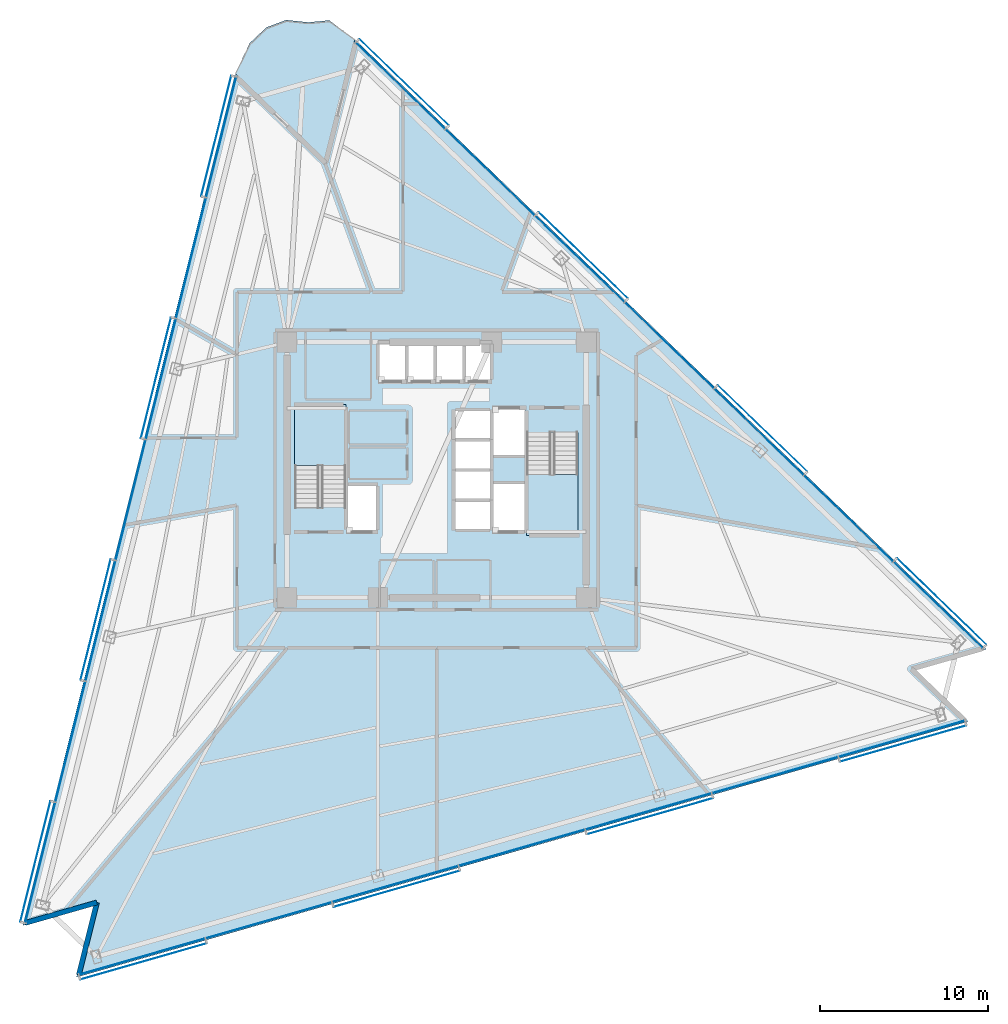
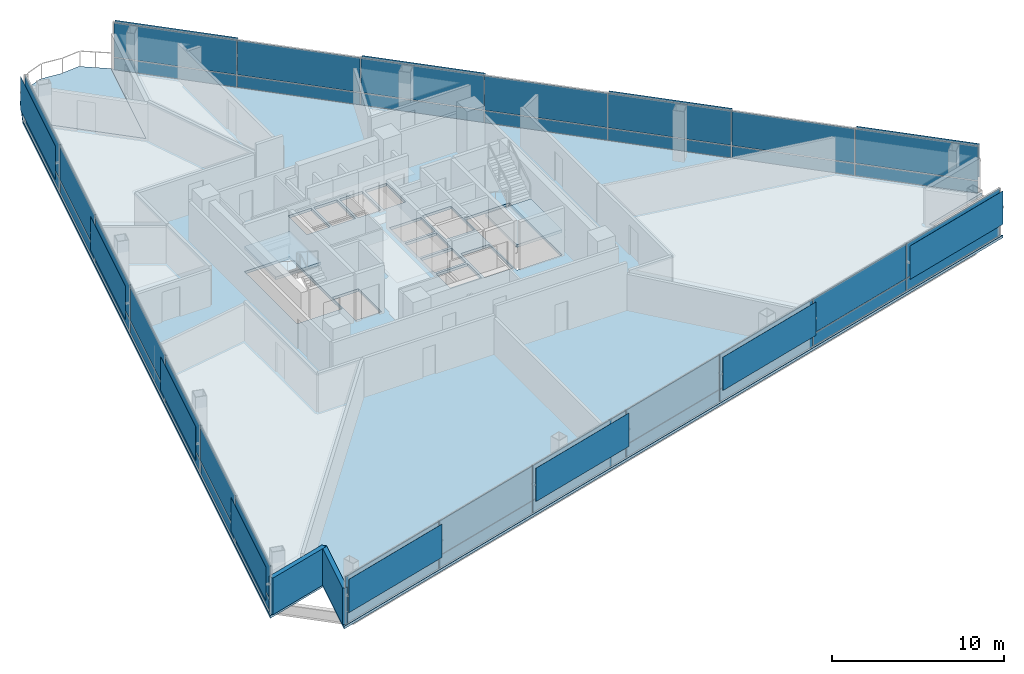
# One storey, part 8 of 19: 54 plates, 4 slabs, 2 walls, 5 elements without a shape of their own.
"""IFC4 building model written with IfcOpenShell, lengths in metres."""

from ifc_helpers import new_model, si_unit, direction, frame, frame_2d, origin, origin_2d, place, context, subcontext, project, spatial, polyline, rectangle, outline, extrude, material, layer, layer_set, type_object, element, aggregate, save


model = new_model("IFC4")

# Units and contexts
model_context = context("Model", 3, precision=1e-05, world=origin(), true_north=direction((0.0, 1.0)))
body_context = subcontext(model_context, "Body", "Model", "MODEL_VIEW")
ifc_project = project(units=[si_unit("LENGTHUNIT", "METRE"), si_unit("AREAUNIT", "SQUARE_METRE"), si_unit("VOLUMEUNIT", "CUBIC_METRE"), si_unit("PLANEANGLEUNIT", "RADIAN"), si_unit("MASSUNIT", "GRAM", prefix="KILO")], contexts=[model_context])

# Site, building, storey
site_placement = place(None, origin())
site = spatial("IfcSite", under=ifc_project, at=site_placement, CompositionType="ELEMENT")
building_placement = place(site_placement, origin())
building = spatial("IfcBuilding", under=site, at=building_placement, Name="Tharavind Bronze Gate", CompositionType="ELEMENT")
storey_placement = place(building_placement, frame((0.0, 0.0, 89.699951171875)))
storey = spatial("IfcBuildingStorey", under=building, at=storey_placement, Name="L22", CompositionType="ELEMENT", Elevation=89.699951171875)

# Plates
ifc_material_1 = material(Name="Perforated Bronze Alloy", Category="bronze")
ifc_layer_1 = layer(ifc_material_1, 0.011962890625)
ifc_layer_set_1 = layer_set([ifc_layer_1], Name="Perforated Bronze Alloy")
plate_type_1 = type_object("IfcPlateType", Name="BRONZE PERFORATED SOLAR SCREEN", PredefinedType="USERDEFINED", material=ifc_layer_set_1)
for number, where, z_axis, x_axis, name in (
    (1, (-13.11669921875, 19.86865234375, 0.966552734375), (0.0, 0.0, 1.0), (-0.2419218956, -0.970295726276, 0.0), "CW-L22-S1 perforated bronze solar screen 1"),
    (2, (-16.7041015625, 5.480712890625, 0.966552734375), (0.0, 0.0, 1.0), (-0.2419218956, -0.970295726276, 0.0), "CW-L22-S1 perforated bronze solar screen 3"),
    (3, (-20.29150390625, -8.9072265625, 0.966552734375), (0.0, 0.0, 1.0), (-0.2419218956, -0.970295726276, 0.0), "CW-L22-S1 perforated bronze solar screen 5"),
    (4, (-23.878662109375, -23.295166015625, 0.966552734375), (0.0, 0.0, 1.0), (-0.2419218956, -0.970295726276, 0.0), "CW-L22-S1 perforated bronze solar screen 7"),
):
    element("IfcPlate", number, at=place(storey_placement, frame(where, z_axis=z_axis, x_axis=x_axis)), inside=storey, type_object=plate_type_1, Name=name, ObjectType="SCREEN", PredefinedType="USERDEFINED", context=body_context, shape_type="SweptSolid", body=[
        extrude(rectangle(XDim=7.394287109375, YDim=0.011962890625, at=origin_2d()), origin(), (0.0, 0.0, 1.0), 2.376953125),
    ])
for number, where, z_axis, x_axis, name in (
    (5, (-17.447509765625, -29.251220703125, 0.966552734375), (0.0, 0.0, 1.0), (0.961261695938, 0.275637355817, 0.0), "CW-L22-S2 perforated bronze solar screen 1"),
    (6, (-2.380615234375, -24.930908203125, 0.966552734375), (0.0, 0.0, 1.0), (0.961261695938, 0.275637355817, 0.0), "CW-L22-S2 perforated bronze solar screen 3"),
    (7, (12.686279296875, -20.610595703125, 0.966552734375), (0.0, 0.0, 1.0), (0.961261695938, 0.275637355817, 0.0), "CW-L22-S2 perforated bronze solar screen 5"),
    (8, (27.75341796875, -16.290283203125, 0.966552734375), (0.0, 0.0, 1.0), (0.961261695938, 0.275637355817, 0.0), "CW-L22-S2 perforated bronze solar screen 7"),
):
    element("IfcPlate", number, at=place(storey_placement, frame(where, z_axis=z_axis, x_axis=x_axis)), inside=storey, type_object=plate_type_1, Name=name, ObjectType="SCREEN", PredefinedType="USERDEFINED", context=body_context, shape_type="SweptSolid", body=[
        extrude(rectangle(XDim=7.817138671875, YDim=0.011962890625, at=origin_2d()), origin(), (0.0, 0.0, 1.0), 2.376953125),
    ])
for number, where, z_axis, x_axis, name in (
    (9, (30.05126953125, -7.8310546875, 0.966552734375), (0.0, 0.0, 1.0), (-0.719341012745, 0.694657114973, 0.0), "CW-L22-S3 perforated bronze solar screen 1"),
    (10, (19.384521484375, 2.469482421875, 0.966552734375), (0.0, 0.0, 1.0), (-0.719341012745, 0.694657114973, 0.0), "CW-L22-S3 perforated bronze solar screen 3"),
    (11, (8.718017578125, 12.770263671875, 0.966552734375), (0.0, 0.0, 1.0), (-0.719341012745, 0.694657114973, 0.0), "CW-L22-S3 perforated bronze solar screen 5"),
    (12, (-1.94873046875, 23.07080078125, 0.966552734375), (0.0, 0.0, 1.0), (-0.719341012745, 0.694657114973, 0.0), "CW-L22-S3 perforated bronze solar screen 7"),
):
    element("IfcPlate", number, at=place(storey_placement, frame(where, z_axis=z_axis, x_axis=x_axis)), inside=storey, type_object=plate_type_1, Name=name, ObjectType="SCREEN", PredefinedType="USERDEFINED", context=body_context, shape_type="SweptSolid", body=[
        extrude(rectangle(XDim=7.394287109375, YDim=0.011962890625, at=origin_2d()), origin(), (0.0, 0.0, 1.0), 2.376953125),
    ])

# Curtain wall, plates
ifc_material_2 = material(Name="Anodised Bronze Aluminium", Category="aluminium")
ifc_layer_2 = layer(ifc_material_2, 0.219970703125)
ifc_layer_set_2 = layer_set([ifc_layer_2], Name="Anodised Bronze Aluminium")
curtain_wall_type = type_object("IfcCurtainWallType", Name="UNITISED CURTAIN WALL LOWER OFFICE", PredefinedType="USERDEFINED", material=ifc_layer_set_2)
curtain_wall_1_placement = place(storey_placement, origin())
curtain_wall_1 = element("IfcCurtainWall", 13, at=curtain_wall_1_placement, inside=storey, type_object=curtain_wall_type, Name="L22 unitised curtain wall lower office CW-L22-S1", ObjectType="UNITISED CURTAIN WALL", PredefinedType="USERDEFINED")
ifc_material_3 = material(Name="Patinated Bronze Alloy Sheet", Category="bronze")
ifc_layer_3 = layer(ifc_material_3, 0.01611328125)
ifc_layer_set_3 = layer_set([ifc_layer_3], Name="Patinated Bronze Alloy Sheet")
plate_type_2 = type_object("IfcPlateType", Name="BRONZE SPANDREL CLADDING PANEL 16", PredefinedType="CURTAIN_PANEL", material=ifc_layer_set_3)
plate_1_placement = place(storey_placement, frame((-12.83056640625, 19.797119140625, 0.0263671875), z_axis=(0.0, 0.0, 1.0), x_axis=(-0.2419218956, -0.970295726276, 0.0)))
plate_1 = element("IfcPlate", 14, at=plate_1_placement, type_object=plate_type_2, Name="CW-L22-S1 bronze spandrel panel 1", PredefinedType="CURTAIN_PANEL", context=body_context, shape_type="SweptSolid", body=[
    extrude(rectangle(XDim=7.361083984375, YDim=0.01611328125, at=origin_2d()), origin(), (0.0, 0.0, 1.0), 0.846923828125),
])
plate_2_placement = place(storey_placement, frame((-14.624267578125, 12.603271484375, 0.0263671875), z_axis=(0.0, 0.0, 1.0), x_axis=(-0.2419218956, -0.970295726276, 0.0)))
plate_2 = element("IfcPlate", 15, at=plate_2_placement, type_object=plate_type_2, Name="CW-L22-S1 bronze spandrel panel 2", PredefinedType="CURTAIN_PANEL", context=body_context, shape_type="SweptSolid", body=[
    extrude(rectangle(XDim=7.361083984375, YDim=0.01611328125, at=origin_2d()), origin(), (0.0, 0.0, 1.0), 0.846923828125),
])
plate_3_placement = place(storey_placement, frame((-16.417724609375, 5.4091796875, 0.0263671875), z_axis=(0.0, 0.0, 1.0), x_axis=(-0.2419218956, -0.970295726276, 0.0)))
plate_3 = element("IfcPlate", 16, at=plate_3_placement, type_object=plate_type_2, Name="CW-L22-S1 bronze spandrel panel 3", PredefinedType="CURTAIN_PANEL", context=body_context, shape_type="SweptSolid", body=[
    extrude(rectangle(XDim=7.361083984375, YDim=0.01611328125, at=origin_2d()), origin(), (0.0, 0.0, 1.0), 0.846923828125),
])
plate_4_placement = place(storey_placement, frame((-18.21142578125, -1.78466796875, 0.0263671875), z_axis=(0.0, 0.0, 1.0), x_axis=(-0.2419218956, -0.970295726276, 0.0)))
plate_4 = element("IfcPlate", 17, at=plate_4_placement, type_object=plate_type_2, Name="CW-L22-S1 bronze spandrel panel 4", PredefinedType="CURTAIN_PANEL", context=body_context, shape_type="SweptSolid", body=[
    extrude(rectangle(XDim=7.361083984375, YDim=0.01611328125, at=origin_2d()), origin(), (0.0, 0.0, 1.0), 0.846923828125),
])
plate_5_placement = place(storey_placement, frame((-20.005126953125, -8.978759765625, 0.0263671875), z_axis=(0.0, 0.0, 1.0), x_axis=(-0.2419218956, -0.970295726276, 0.0)))
plate_5 = element("IfcPlate", 18, at=plate_5_placement, type_object=plate_type_2, Name="CW-L22-S1 bronze spandrel panel 5", PredefinedType="CURTAIN_PANEL", context=body_context, shape_type="SweptSolid", body=[
    extrude(rectangle(XDim=7.361083984375, YDim=0.01611328125, at=origin_2d()), origin(), (0.0, 0.0, 1.0), 0.846923828125),
])
plate_6_placement = place(storey_placement, frame((-21.798828125, -16.172607421875, 0.0263671875), z_axis=(0.0, 0.0, 1.0), x_axis=(-0.2419218956, -0.970295726276, 0.0)))
plate_6 = element("IfcPlate", 19, at=plate_6_placement, type_object=plate_type_2, Name="CW-L22-S1 bronze spandrel panel 6", PredefinedType="CURTAIN_PANEL", context=body_context, shape_type="SweptSolid", body=[
    extrude(rectangle(XDim=7.361083984375, YDim=0.01611328125, at=origin_2d()), origin(), (0.0, 0.0, 1.0), 0.846923828125),
])
plate_7_placement = place(storey_placement, frame((-23.592529296875, -23.36669921875, 0.0263671875), z_axis=(0.0, 0.0, 1.0), x_axis=(-0.2419218956, -0.970295726276, 0.0)))
plate_7 = element("IfcPlate", 20, at=plate_7_placement, type_object=plate_type_2, Name="CW-L22-S1 bronze spandrel panel 7", PredefinedType="CURTAIN_PANEL", context=body_context, shape_type="SweptSolid", body=[
    extrude(rectangle(XDim=7.361083984375, YDim=0.01611328125, at=origin_2d()), origin(), (0.0, 0.0, 1.0), 0.846923828125),
])

curtain_wall_2_placement = place(storey_placement, origin())
curtain_wall_2 = element("IfcCurtainWall", 21, at=curtain_wall_2_placement, inside=storey, type_object=curtain_wall_type, Name="L22 unitised curtain wall lower office CW-L22-S2", ObjectType="UNITISED CURTAIN WALL", PredefinedType="USERDEFINED")
plate_8_placement = place(storey_placement, frame((-17.52880859375, -28.9677734375, 0.0263671875), z_axis=(0.0, 0.0, 1.0), x_axis=(0.961261695938, 0.275637355817, 0.0)))
plate_8 = element("IfcPlate", 22, at=plate_8_placement, type_object=plate_type_2, Name="CW-L22-S2 bronze spandrel panel 1", PredefinedType="CURTAIN_PANEL", context=body_context, shape_type="SweptSolid", body=[
    extrude(rectangle(XDim=7.7841796875, YDim=0.01611328125, at=origin_2d()), origin(), (0.0, 0.0, 1.0), 0.846923828125),
])
plate_9_placement = place(storey_placement, frame((-9.995361328125, -26.8076171875, 0.0263671875), z_axis=(0.0, 0.0, 1.0), x_axis=(0.961261695938, 0.275637355817, 0.0)))
plate_9 = element("IfcPlate", 23, at=plate_9_placement, type_object=plate_type_2, Name="CW-L22-S2 bronze spandrel panel 2", PredefinedType="CURTAIN_PANEL", context=body_context, shape_type="SweptSolid", body=[
    extrude(rectangle(XDim=7.7841796875, YDim=0.01611328125, at=origin_2d()), origin(), (0.0, 0.0, 1.0), 0.846923828125),
])
plate_10_placement = place(storey_placement, frame((-2.4619140625, -24.647216796875, 0.0263671875), z_axis=(0.0, 0.0, 1.0), x_axis=(0.961261695938, 0.275637355817, 0.0)))
plate_10 = element("IfcPlate", 24, at=plate_10_placement, type_object=plate_type_2, Name="CW-L22-S2 bronze spandrel panel 3", PredefinedType="CURTAIN_PANEL", context=body_context, shape_type="SweptSolid", body=[
    extrude(rectangle(XDim=7.7841796875, YDim=0.01611328125, at=origin_2d()), origin(), (0.0, 0.0, 1.0), 0.846923828125),
])
plate_11_placement = place(storey_placement, frame((5.07177734375, -22.487060546875, 0.0263671875), z_axis=(0.0, 0.0, 1.0), x_axis=(0.961261695938, 0.275637355817, 0.0)))
plate_11 = element("IfcPlate", 25, at=plate_11_placement, type_object=plate_type_2, Name="CW-L22-S2 bronze spandrel panel 4", PredefinedType="CURTAIN_PANEL", context=body_context, shape_type="SweptSolid", body=[
    extrude(rectangle(XDim=7.7841796875, YDim=0.01611328125, at=origin_2d()), origin(), (0.0, 0.0, 1.0), 0.846923828125),
])
plate_12_placement = place(storey_placement, frame((12.60498046875, -20.326904296875, 0.0263671875), z_axis=(0.0, 0.0, 1.0), x_axis=(0.961261695938, 0.275637355817, 0.0)))
plate_12 = element("IfcPlate", 26, at=plate_12_placement, type_object=plate_type_2, Name="CW-L22-S2 bronze spandrel panel 5", PredefinedType="CURTAIN_PANEL", context=body_context, shape_type="SweptSolid", body=[
    extrude(rectangle(XDim=7.7841796875, YDim=0.01611328125, at=origin_2d()), origin(), (0.0, 0.0, 1.0), 0.846923828125),
])
plate_13_placement = place(storey_placement, frame((20.138671875, -18.166748046875, 0.0263671875), z_axis=(0.0, 0.0, 1.0), x_axis=(0.961261695938, 0.275637355817, 0.0)))
plate_13 = element("IfcPlate", 27, at=plate_13_placement, type_object=plate_type_2, Name="CW-L22-S2 bronze spandrel panel 6", PredefinedType="CURTAIN_PANEL", context=body_context, shape_type="SweptSolid", body=[
    extrude(rectangle(XDim=7.7841796875, YDim=0.01611328125, at=origin_2d()), origin(), (0.0, 0.0, 1.0), 0.846923828125),
])
plate_14_placement = place(storey_placement, frame((27.672119140625, -16.006591796875, 0.0263671875), z_axis=(0.0, 0.0, 1.0), x_axis=(0.961261695938, 0.275637355817, 0.0)))
plate_14 = element("IfcPlate", 28, at=plate_14_placement, type_object=plate_type_2, Name="CW-L22-S2 bronze spandrel panel 7", PredefinedType="CURTAIN_PANEL", context=body_context, shape_type="SweptSolid", body=[
    extrude(rectangle(XDim=7.7841796875, YDim=0.01611328125, at=origin_2d()), origin(), (0.0, 0.0, 1.0), 0.846923828125),
])

curtain_wall_3_placement = place(storey_placement, origin())
curtain_wall_3 = element("IfcCurtainWall", 29, at=curtain_wall_3_placement, inside=storey, type_object=curtain_wall_type, Name="L22 unitised curtain wall lower office CW-L22-S3", ObjectType="UNITISED CURTAIN WALL", PredefinedType="USERDEFINED")
plate_15_placement = place(storey_placement, frame((29.84619140625, -8.043212890625, 0.0263671875), z_axis=(0.0, 0.0, 1.0), x_axis=(-0.719341012745, 0.694657114973, 0.0)))
plate_15 = element("IfcPlate", 30, at=plate_15_placement, type_object=plate_type_2, Name="CW-L22-S3 bronze spandrel panel 1", PredefinedType="CURTAIN_PANEL", context=body_context, shape_type="SweptSolid", body=[
    extrude(rectangle(XDim=7.361083984375, YDim=0.01611328125, at=origin_2d()), origin(), (0.0, 0.0, 1.0), 0.846923828125),
])
plate_16_placement = place(storey_placement, frame((24.512939453125, -2.892822265625, 0.0263671875), z_axis=(0.0, 0.0, 1.0), x_axis=(-0.719341012745, 0.694657114973, 0.0)))
plate_16 = element("IfcPlate", 31, at=plate_16_placement, type_object=plate_type_2, Name="CW-L22-S3 bronze spandrel panel 2", PredefinedType="CURTAIN_PANEL", context=body_context, shape_type="SweptSolid", body=[
    extrude(rectangle(XDim=7.361083984375, YDim=0.01611328125, at=origin_2d()), origin(), (0.0, 0.0, 1.0), 0.846923828125),
])
plate_17_placement = place(storey_placement, frame((19.1796875, 2.25732421875, 0.0263671875), z_axis=(0.0, 0.0, 1.0), x_axis=(-0.719341012745, 0.694657114973, 0.0)))
plate_17 = element("IfcPlate", 32, at=plate_17_placement, type_object=plate_type_2, Name="CW-L22-S3 bronze spandrel panel 3", PredefinedType="CURTAIN_PANEL", context=body_context, shape_type="SweptSolid", body=[
    extrude(rectangle(XDim=7.361083984375, YDim=0.01611328125, at=origin_2d()), origin(), (0.0, 0.0, 1.0), 0.846923828125),
])
plate_18_placement = place(storey_placement, frame((13.84619140625, 7.40771484375, 0.0263671875), z_axis=(0.0, 0.0, 1.0), x_axis=(-0.719341012745, 0.694657114973, 0.0)))
plate_18 = element("IfcPlate", 33, at=plate_18_placement, type_object=plate_type_2, Name="CW-L22-S3 bronze spandrel panel 4", PredefinedType="CURTAIN_PANEL", context=body_context, shape_type="SweptSolid", body=[
    extrude(rectangle(XDim=7.361083984375, YDim=0.01611328125, at=origin_2d()), origin(), (0.0, 0.0, 1.0), 0.846923828125),
])
plate_19_placement = place(storey_placement, frame((8.512939453125, 12.55810546875, 0.0263671875), z_axis=(0.0, 0.0, 1.0), x_axis=(-0.719341012745, 0.694657114973, 0.0)))
plate_19 = element("IfcPlate", 34, at=plate_19_placement, type_object=plate_type_2, Name="CW-L22-S3 bronze spandrel panel 5", PredefinedType="CURTAIN_PANEL", context=body_context, shape_type="SweptSolid", body=[
    extrude(rectangle(XDim=7.361083984375, YDim=0.01611328125, at=origin_2d()), origin(), (0.0, 0.0, 1.0), 0.846923828125),
])
plate_20_placement = place(storey_placement, frame((3.1796875, 17.70849609375, 0.0263671875), z_axis=(0.0, 0.0, 1.0), x_axis=(-0.719341012745, 0.694657114973, 0.0)))
plate_20 = element("IfcPlate", 35, at=plate_20_placement, type_object=plate_type_2, Name="CW-L22-S3 bronze spandrel panel 6", PredefinedType="CURTAIN_PANEL", context=body_context, shape_type="SweptSolid", body=[
    extrude(rectangle(XDim=7.361083984375, YDim=0.01611328125, at=origin_2d()), origin(), (0.0, 0.0, 1.0), 0.846923828125),
])
plate_21_placement = place(storey_placement, frame((-2.15380859375, 22.858642578125, 0.0263671875), z_axis=(0.0, 0.0, 1.0), x_axis=(-0.719341012745, 0.694657114973, 0.0)))
plate_21 = element("IfcPlate", 36, at=plate_21_placement, type_object=plate_type_2, Name="CW-L22-S3 bronze spandrel panel 7", PredefinedType="CURTAIN_PANEL", context=body_context, shape_type="SweptSolid", body=[
    extrude(rectangle(XDim=7.361083984375, YDim=0.01611328125, at=origin_2d()), origin(), (0.0, 0.0, 1.0), 0.846923828125),
])

# Plate
ifc_material_4 = material(Name="Low-E Double Glazing", Category="glass")
ifc_layer_4 = layer(ifc_material_4, 0.031982421875)
ifc_layer_set_4 = layer_set([ifc_layer_4], Name="Low-E Double Glazing")
plate_type_3 = type_object("IfcPlateType", Name="DOUBLE GLAZED FACADE PANEL 32", PredefinedType="CURTAIN_PANEL", material=ifc_layer_set_4)
plate_22_placement = place(storey_placement, frame((-12.83056640625, 19.797119140625, 0.926513671875), z_axis=(0.0, 0.0, 1.0), x_axis=(-0.2419218956, -0.970295726276, 0.0)))
plate_22 = element("IfcPlate", 37, at=plate_22_placement, type_object=plate_type_3, Name="CW-L22-S1 vision glazing panel 1", PredefinedType="CURTAIN_PANEL", context=body_context, shape_type="SweptSolid", body=[
    extrude(rectangle(XDim=7.361083984375, YDim=0.031982421875, at=origin_2d()), origin(), (0.0, 0.0, 1.0), 2.45703125),
])

plate_23_placement = place(storey_placement, frame((-14.624267578125, 12.603271484375, 0.926513671875), z_axis=(0.0, 0.0, 1.0), x_axis=(-0.2419218956, -0.970295726276, 0.0)))
plate_23 = element("IfcPlate", 38, at=plate_23_placement, type_object=plate_type_3, Name="CW-L22-S1 vision glazing panel 2", PredefinedType="CURTAIN_PANEL", context=body_context, shape_type="SweptSolid", body=[
    extrude(rectangle(XDim=7.361083984375, YDim=0.031982421875, at=origin_2d()), origin(), (0.0, 0.0, 1.0), 2.45703125),
])

plate_24_placement = place(storey_placement, frame((-16.417724609375, 5.4091796875, 0.926513671875), z_axis=(0.0, 0.0, 1.0), x_axis=(-0.2419218956, -0.970295726276, 0.0)))
plate_24 = element("IfcPlate", 39, at=plate_24_placement, type_object=plate_type_3, Name="CW-L22-S1 vision glazing panel 3", PredefinedType="CURTAIN_PANEL", context=body_context, shape_type="SweptSolid", body=[
    extrude(rectangle(XDim=7.361083984375, YDim=0.031982421875, at=origin_2d()), origin(), (0.0, 0.0, 1.0), 2.45703125),
])

plate_25_placement = place(storey_placement, frame((-18.21142578125, -1.78466796875, 0.926513671875), z_axis=(0.0, 0.0, 1.0), x_axis=(-0.2419218956, -0.970295726276, 0.0)))
plate_25 = element("IfcPlate", 40, at=plate_25_placement, type_object=plate_type_3, Name="CW-L22-S1 vision glazing panel 4", PredefinedType="CURTAIN_PANEL", context=body_context, shape_type="SweptSolid", body=[
    extrude(rectangle(XDim=7.361083984375, YDim=0.031982421875, at=origin_2d()), origin(), (0.0, 0.0, 1.0), 2.45703125),
])

plate_26_placement = place(storey_placement, frame((-20.005126953125, -8.978759765625, 0.926513671875), z_axis=(0.0, 0.0, 1.0), x_axis=(-0.2419218956, -0.970295726276, 0.0)))
plate_26 = element("IfcPlate", 41, at=plate_26_placement, type_object=plate_type_3, Name="CW-L22-S1 vision glazing panel 5", PredefinedType="CURTAIN_PANEL", context=body_context, shape_type="SweptSolid", body=[
    extrude(rectangle(XDim=7.361083984375, YDim=0.031982421875, at=origin_2d()), origin(), (0.0, 0.0, 1.0), 2.45703125),
])

plate_27_placement = place(storey_placement, frame((-21.798828125, -16.172607421875, 0.926513671875), z_axis=(0.0, 0.0, 1.0), x_axis=(-0.2419218956, -0.970295726276, 0.0)))
plate_27 = element("IfcPlate", 42, at=plate_27_placement, type_object=plate_type_3, Name="CW-L22-S1 vision glazing panel 6", PredefinedType="CURTAIN_PANEL", context=body_context, shape_type="SweptSolid", body=[
    extrude(rectangle(XDim=7.361083984375, YDim=0.031982421875, at=origin_2d()), origin(), (0.0, 0.0, 1.0), 2.45703125),
])

plate_28_placement = place(storey_placement, frame((-23.592529296875, -23.36669921875, 0.926513671875), z_axis=(0.0, 0.0, 1.0), x_axis=(-0.2419218956, -0.970295726276, 0.0)))
plate_28 = element("IfcPlate", 43, at=plate_28_placement, type_object=plate_type_3, Name="CW-L22-S1 vision glazing panel 7", PredefinedType="CURTAIN_PANEL", context=body_context, shape_type="SweptSolid", body=[
    extrude(rectangle(XDim=7.361083984375, YDim=0.031982421875, at=origin_2d()), origin(), (0.0, 0.0, 1.0), 2.45703125),
])

aggregate(curtain_wall_1, [plate_1, plate_22, plate_2, plate_23, plate_3, plate_24, plate_4, plate_25, plate_5, plate_26, plate_6, plate_27, plate_7, plate_28])

plate_29_placement = place(storey_placement, frame((-17.52880859375, -28.9677734375, 0.926513671875), z_axis=(0.0, 0.0, 1.0), x_axis=(0.961261695938, 0.275637355817, 0.0)))
plate_29 = element("IfcPlate", 44, at=plate_29_placement, type_object=plate_type_3, Name="CW-L22-S2 vision glazing panel 1", PredefinedType="CURTAIN_PANEL", context=body_context, shape_type="SweptSolid", body=[
    extrude(rectangle(XDim=7.7841796875, YDim=0.031982421875, at=origin_2d()), origin(), (0.0, 0.0, 1.0), 2.45703125),
])

plate_30_placement = place(storey_placement, frame((-9.995361328125, -26.8076171875, 0.926513671875), z_axis=(0.0, 0.0, 1.0), x_axis=(0.961261695938, 0.275637355817, 0.0)))
plate_30 = element("IfcPlate", 45, at=plate_30_placement, type_object=plate_type_3, Name="CW-L22-S2 vision glazing panel 2", PredefinedType="CURTAIN_PANEL", context=body_context, shape_type="SweptSolid", body=[
    extrude(rectangle(XDim=7.7841796875, YDim=0.031982421875, at=origin_2d()), origin(), (0.0, 0.0, 1.0), 2.45703125),
])

plate_31_placement = place(storey_placement, frame((-2.4619140625, -24.647216796875, 0.926513671875), z_axis=(0.0, 0.0, 1.0), x_axis=(0.961261695938, 0.275637355817, 0.0)))
plate_31 = element("IfcPlate", 46, at=plate_31_placement, type_object=plate_type_3, Name="CW-L22-S2 vision glazing panel 3", PredefinedType="CURTAIN_PANEL", context=body_context, shape_type="SweptSolid", body=[
    extrude(rectangle(XDim=7.7841796875, YDim=0.031982421875, at=origin_2d()), origin(), (0.0, 0.0, 1.0), 2.45703125),
])

plate_32_placement = place(storey_placement, frame((5.07177734375, -22.487060546875, 0.926513671875), z_axis=(0.0, 0.0, 1.0), x_axis=(0.961261695938, 0.275637355817, 0.0)))
plate_32 = element("IfcPlate", 47, at=plate_32_placement, type_object=plate_type_3, Name="CW-L22-S2 vision glazing panel 4", PredefinedType="CURTAIN_PANEL", context=body_context, shape_type="SweptSolid", body=[
    extrude(rectangle(XDim=7.7841796875, YDim=0.031982421875, at=origin_2d()), origin(), (0.0, 0.0, 1.0), 2.45703125),
])

plate_33_placement = place(storey_placement, frame((12.60498046875, -20.326904296875, 0.926513671875), z_axis=(0.0, 0.0, 1.0), x_axis=(0.961261695938, 0.275637355817, 0.0)))
plate_33 = element("IfcPlate", 48, at=plate_33_placement, type_object=plate_type_3, Name="CW-L22-S2 vision glazing panel 5", PredefinedType="CURTAIN_PANEL", context=body_context, shape_type="SweptSolid", body=[
    extrude(rectangle(XDim=7.7841796875, YDim=0.031982421875, at=origin_2d()), origin(), (0.0, 0.0, 1.0), 2.45703125),
])

plate_34_placement = place(storey_placement, frame((20.138671875, -18.166748046875, 0.926513671875), z_axis=(0.0, 0.0, 1.0), x_axis=(0.961261695938, 0.275637355817, 0.0)))
plate_34 = element("IfcPlate", 49, at=plate_34_placement, type_object=plate_type_3, Name="CW-L22-S2 vision glazing panel 6", PredefinedType="CURTAIN_PANEL", context=body_context, shape_type="SweptSolid", body=[
    extrude(rectangle(XDim=7.7841796875, YDim=0.031982421875, at=origin_2d()), origin(), (0.0, 0.0, 1.0), 2.45703125),
])

plate_35_placement = place(storey_placement, frame((27.672119140625, -16.006591796875, 0.926513671875), z_axis=(0.0, 0.0, 1.0), x_axis=(0.961261695938, 0.275637355817, 0.0)))
plate_35 = element("IfcPlate", 50, at=plate_35_placement, type_object=plate_type_3, Name="CW-L22-S2 vision glazing panel 7", PredefinedType="CURTAIN_PANEL", context=body_context, shape_type="SweptSolid", body=[
    extrude(rectangle(XDim=7.7841796875, YDim=0.031982421875, at=origin_2d()), origin(), (0.0, 0.0, 1.0), 2.45703125),
])

aggregate(curtain_wall_2, [plate_8, plate_29, plate_9, plate_30, plate_10, plate_31, plate_11, plate_32, plate_12, plate_33, plate_13, plate_34, plate_14, plate_35])

plate_36_placement = place(storey_placement, frame((29.84619140625, -8.043212890625, 0.926513671875), z_axis=(0.0, 0.0, 1.0), x_axis=(-0.719341012745, 0.694657114973, 0.0)))
plate_36 = element("IfcPlate", 51, at=plate_36_placement, type_object=plate_type_3, Name="CW-L22-S3 vision glazing panel 1", PredefinedType="CURTAIN_PANEL", context=body_context, shape_type="SweptSolid", body=[
    extrude(rectangle(XDim=7.361083984375, YDim=0.031982421875, at=origin_2d()), origin(), (0.0, 0.0, 1.0), 2.45703125),
])

plate_37_placement = place(storey_placement, frame((24.512939453125, -2.892822265625, 0.926513671875), z_axis=(0.0, 0.0, 1.0), x_axis=(-0.719341012745, 0.694657114973, 0.0)))
plate_37 = element("IfcPlate", 52, at=plate_37_placement, type_object=plate_type_3, Name="CW-L22-S3 vision glazing panel 2", PredefinedType="CURTAIN_PANEL", context=body_context, shape_type="SweptSolid", body=[
    extrude(rectangle(XDim=7.361083984375, YDim=0.031982421875, at=origin_2d()), origin(), (0.0, 0.0, 1.0), 2.45703125),
])

plate_38_placement = place(storey_placement, frame((19.1796875, 2.25732421875, 0.926513671875), z_axis=(0.0, 0.0, 1.0), x_axis=(-0.719341012745, 0.694657114973, 0.0)))
plate_38 = element("IfcPlate", 53, at=plate_38_placement, type_object=plate_type_3, Name="CW-L22-S3 vision glazing panel 3", PredefinedType="CURTAIN_PANEL", context=body_context, shape_type="SweptSolid", body=[
    extrude(rectangle(XDim=7.361083984375, YDim=0.031982421875, at=origin_2d()), origin(), (0.0, 0.0, 1.0), 2.45703125),
])

plate_39_placement = place(storey_placement, frame((13.84619140625, 7.40771484375, 0.926513671875), z_axis=(0.0, 0.0, 1.0), x_axis=(-0.719341012745, 0.694657114973, 0.0)))
plate_39 = element("IfcPlate", 54, at=plate_39_placement, type_object=plate_type_3, Name="CW-L22-S3 vision glazing panel 4", PredefinedType="CURTAIN_PANEL", context=body_context, shape_type="SweptSolid", body=[
    extrude(rectangle(XDim=7.361083984375, YDim=0.031982421875, at=origin_2d()), origin(), (0.0, 0.0, 1.0), 2.45703125),
])

plate_40_placement = place(storey_placement, frame((8.512939453125, 12.55810546875, 0.926513671875), z_axis=(0.0, 0.0, 1.0), x_axis=(-0.719341012745, 0.694657114973, 0.0)))
plate_40 = element("IfcPlate", 55, at=plate_40_placement, type_object=plate_type_3, Name="CW-L22-S3 vision glazing panel 5", PredefinedType="CURTAIN_PANEL", context=body_context, shape_type="SweptSolid", body=[
    extrude(rectangle(XDim=7.361083984375, YDim=0.031982421875, at=origin_2d()), origin(), (0.0, 0.0, 1.0), 2.45703125),
])

plate_41_placement = place(storey_placement, frame((3.1796875, 17.70849609375, 0.926513671875), z_axis=(0.0, 0.0, 1.0), x_axis=(-0.719341012745, 0.694657114973, 0.0)))
plate_41 = element("IfcPlate", 56, at=plate_41_placement, type_object=plate_type_3, Name="CW-L22-S3 vision glazing panel 6", PredefinedType="CURTAIN_PANEL", context=body_context, shape_type="SweptSolid", body=[
    extrude(rectangle(XDim=7.361083984375, YDim=0.031982421875, at=origin_2d()), origin(), (0.0, 0.0, 1.0), 2.45703125),
])

plate_42_placement = place(storey_placement, frame((-2.15380859375, 22.858642578125, 0.926513671875), z_axis=(0.0, 0.0, 1.0), x_axis=(-0.719341012745, 0.694657114973, 0.0)))
plate_42 = element("IfcPlate", 57, at=plate_42_placement, type_object=plate_type_3, Name="CW-L22-S3 vision glazing panel 7", PredefinedType="CURTAIN_PANEL", context=body_context, shape_type="SweptSolid", body=[
    extrude(rectangle(XDim=7.361083984375, YDim=0.031982421875, at=origin_2d()), origin(), (0.0, 0.0, 1.0), 2.45703125),
])

aggregate(curtain_wall_3, [plate_15, plate_36, plate_16, plate_37, plate_17, plate_38, plate_18, plate_39, plate_19, plate_40, plate_20, plate_41, plate_21, plate_42])

# Slab
ifc_material_5 = material(Name="Concrete C40/50", Category="concrete")
ifc_layer_5 = layer(ifc_material_5, 0.179931640625)
ifc_layer_set_5 = layer_set([ifc_layer_5], Name="Concrete C40/50")
slab_type_1 = type_object("IfcSlabType", Name="EXTERIOR BALCONY SLAB 180", PredefinedType="FLOOR", material=ifc_layer_set_5)
slab_1_placement = place(storey_placement, frame((0.0, 0.0, -0.179931640625)))
element("IfcSlab", 58, at=slab_1_placement, inside=storey, type_object=slab_type_1, Name="L22 northeast tree balcony slab", PredefinedType="FLOOR", context=body_context, shape_type="SweptSolid", body=[
    extrude(outline(polyline([(-6.388427734375, 26.752685546875), (-7.6376953125, 26.63525390625), (-8.960693359375, 26.7744140625), (-10.118896484375, 26.33935546875), (-11.130615234375, 25.39306640625), (-11.98876953125, 23.58642578125), (-6.665771484375, 18.446044921875), (-4.87548828125, 25.626220703125), (-6.388427734375, 26.752685546875)])), origin(), (0.0, 0.0, 1.0), 0.179931640625),
])

# Stair, slab
stair_type = type_object("IfcStairType", Name="CORE HALF TURN STAIR 1450", PredefinedType="HALF_TURN_STAIR", material=ifc_material_5)
stair_1_placement = place(storey_placement, origin())
stair_1 = element("IfcStair", 59, at=stair_1_placement, inside=storey, type_object=stair_type, Name="L22 Protected Exit Stair ST1", PredefinedType="HALF_TURN_STAIR")
ifc_layer_6 = layer(ifc_material_5, 0.199951171875)
ifc_layer_set_6 = layer_set([ifc_layer_6], Name="Concrete C40/50")
slab_type_2 = type_object("IfcSlabType", Name="STAIR LANDING SLAB 200", PredefinedType="LANDING", material=ifc_layer_set_6)
slab_2_placement = place(storey_placement, frame((0.0, 0.0, 1.60009765625)))
slab_2 = element("IfcSlab", 60, at=slab_2_placement, type_object=slab_type_2, Name="ST1 landing 1", PredefinedType="LANDING", context=body_context, shape_type="SweptSolid", body=[
    extrude(outline(polyline([(-5.39990234375, 0.27001953125), (-5.39990234375, 3.89990234375), (-8.449951171875, 3.89990234375), (-8.449951171875, 0.27001953125), (-5.39990234375, 0.27001953125)])), origin(), (0.0, 0.0, 1.0), 0.199951171875),
])
aggregate(stair_1, [slab_2])

stair_2_placement = place(storey_placement, origin())
stair_2 = element("IfcStair", 61, at=stair_2_placement, inside=storey, type_object=stair_type, Name="L22 Protected Exit Stair ST2", PredefinedType="HALF_TURN_STAIR")
slab_3_placement = place(storey_placement, frame((0.0, 0.0, 1.60009765625)))
slab_3 = element("IfcSlab", 62, at=slab_3_placement, type_object=slab_type_2, Name="ST2 landing 1", PredefinedType="LANDING", context=body_context, shape_type="SweptSolid", body=[
    extrude(outline(polyline([(5.35009765625, -0.27001953125), (5.35009765625, -3.89990234375), (8.39990234375, -3.89990234375), (8.39990234375, -0.27001953125), (5.35009765625, -0.27001953125)])), origin(), (0.0, 0.0, 1.0), 0.199951171875),
])
aggregate(stair_2, [slab_3])

# Slab
ifc_layer_7 = layer(ifc_material_5, 0.18994140625)
ifc_layer_set_7 = layer_set([ifc_layer_7], Name="Concrete C40/50")
slab_type_3 = type_object("IfcSlabType", Name="STRUCTURAL FLOOR SLAB 190", PredefinedType="FLOOR", material=ifc_layer_set_7)
slab_4_placement = place(storey_placement, frame((0.0, 0.0, -0.18994140625)))
element("IfcSlab", 63, at=slab_4_placement, inside=storey, type_object=slab_type_3, Name="L22 main structural floor slab", PredefinedType="FLOOR", context=body_context, shape_type="SweptSolid", body=[
    extrude(outline(polyline([(-4.87548828125, 25.626220703125), (-6.665771484375, 18.446044921875), (-11.98876953125, 23.58642578125), (-24.628173828125, -27.107421875), (-20.360107421875, -25.883544921875), (-21.434326171875, -30.191650390625), (31.6328125, -14.974853515625), (28.439208984375, -11.890625), (32.70703125, -10.666748046875), (-4.87548828125, 25.626220703125)]), holes=[polyline([(-5.39990234375, -2.215087890625), (-5.39990234375, 3.89990234375), (-8.449951171875, 3.89990234375), (-8.449951171875, -2.215087890625), (-5.39990234375, -2.215087890625)]), polyline([(5.35009765625, 2.215087890625), (5.35009765625, -3.89990234375), (8.39990234375, -3.89990234375), (8.39990234375, 2.215087890625), (5.35009765625, 2.215087890625)]), polyline([(-3.419921875, 5.330078125), (-1.867431640625, 5.330078125), (-1.867431640625, 7.52001953125), (-3.419921875, 7.52001953125), (-3.419921875, 5.330078125)]), polyline([(-1.70751953125, 5.330078125), (-0.155029296875, 5.330078125), (-0.155029296875, 7.52001953125), (-1.70751953125, 7.52001953125), (-1.70751953125, 5.330078125)]), polyline([(0.0048828125, 5.330078125), (1.5576171875, 5.330078125), (1.5576171875, 7.52001953125), (0.0048828125, 7.52001953125), (0.0048828125, 5.330078125)]), polyline([(1.717529296875, 5.330078125), (3.199951171875, 5.330078125), (3.199951171875, 7.52001953125), (1.717529296875, 7.52001953125), (1.717529296875, 5.330078125)]), polyline([(1.080078125, -3.52001953125), (3.199951171875, -3.52001953125), (3.199951171875, -1.8798828125), (1.080078125, -1.8798828125), (1.080078125, -3.52001953125)]), polyline([(1.080078125, -1.719970703125), (3.199951171875, -1.719970703125), (3.199951171875, -0.080078125), (1.080078125, -0.080078125), (1.080078125, -1.719970703125)]), polyline([(1.080078125, 0.080078125), (3.199951171875, 0.080078125), (3.199951171875, 1.719970703125), (1.080078125, 1.719970703125), (1.080078125, 0.080078125)]), polyline([(1.080078125, 1.8798828125), (3.199951171875, 1.8798828125), (3.199951171875, 3.52001953125), (1.080078125, 3.52001953125), (1.080078125, 1.8798828125)]), polyline([(-5.320068359375, -3.6201171875), (-3.580078125, -3.6201171875), (-3.580078125, -0.929931640625), (-5.320068359375, -0.929931640625), (-5.320068359375, -3.6201171875)]), polyline([(3.360107421875, 0.8798828125), (5.27001953125, 0.8798828125), (5.27001953125, 3.6201171875), (3.360107421875, 3.6201171875), (3.360107421875, 0.8798828125)]), polyline([(3.360107421875, -3.6201171875), (5.27001953125, -3.6201171875), (5.27001953125, -0.830078125), (3.360107421875, -0.830078125), (3.360107421875, -3.6201171875)])]), origin(), (0.0, 0.0, 1.0), 0.18994140625),
])

# Walls
ifc_layer_8 = layer(ifc_material_5, 0.300048828125)
ifc_layer_set_8 = layer_set([ifc_layer_8], Name="Concrete C40/50")
wall_type = type_object("IfcWallType", Name="EXTERIOR SPANDREL WALL 300", PredefinedType="STANDARD", material=ifc_layer_set_8)
wall_1_placement = place(storey_placement, frame((-24.4892578125, -26.963623046875, 0.0), z_axis=(0.0, 0.0, 1.0), x_axis=(0.961259988927, 0.275643308803, 0.0)))
element("IfcWall", 64, at=wall_1_placement, inside=storey, type_object=wall_type, Name="L22 notch cheek wall 2A", PredefinedType="STANDARD", context=body_context, shape_type="SweptSolid", body=[
    extrude(rectangle(XDim=4.440185546875, YDim=0.300048828125, at=frame_2d((2.22021484375, 0.0))), origin(), (0.0, 0.0, 1.0), 2.60498046875),
])
wall_2_placement = place(storey_placement, frame((-20.22119140625, -25.73974609375, 0.0), z_axis=(0.0, 0.0, 1.0), x_axis=(-0.241940431812, -0.970291104491, 0.0)))
element("IfcWall", 65, at=wall_2_placement, inside=storey, type_object=wall_type, Name="L22 notch cheek wall 2B", PredefinedType="STANDARD", context=body_context, shape_type="SweptSolid", body=[
    extrude(rectangle(XDim=4.43994140625, YDim=0.300048828125, at=frame_2d((2.219970703125, 0.0))), origin(), (0.0, 0.0, 1.0), 2.60498046875),
])

save(model, "model.ifc")
